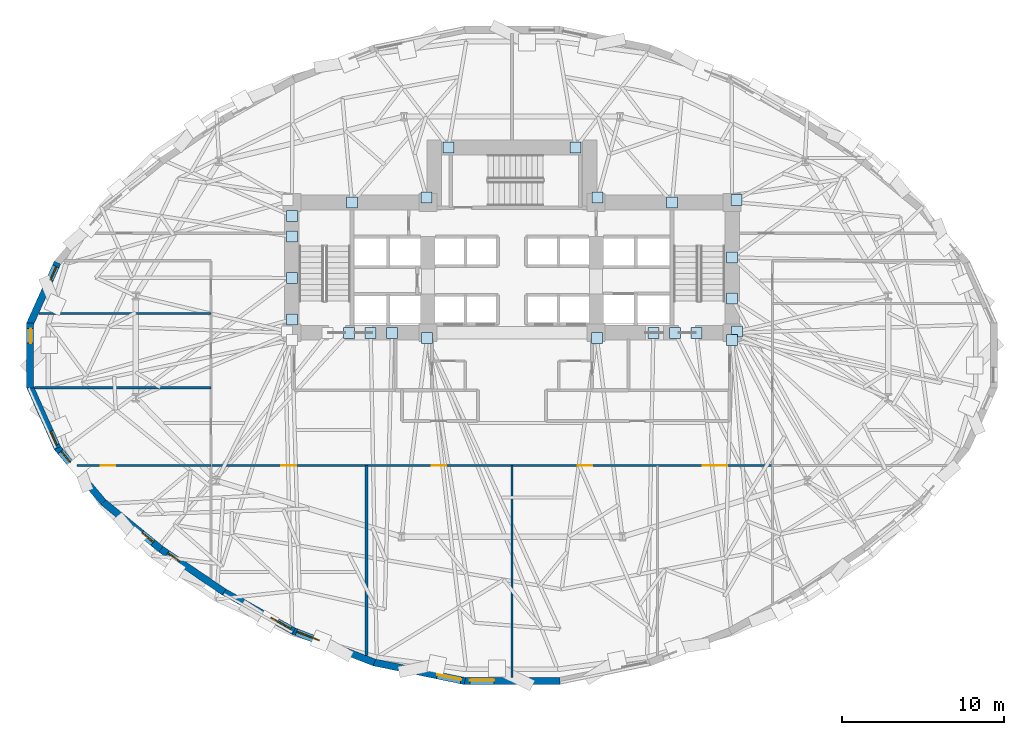
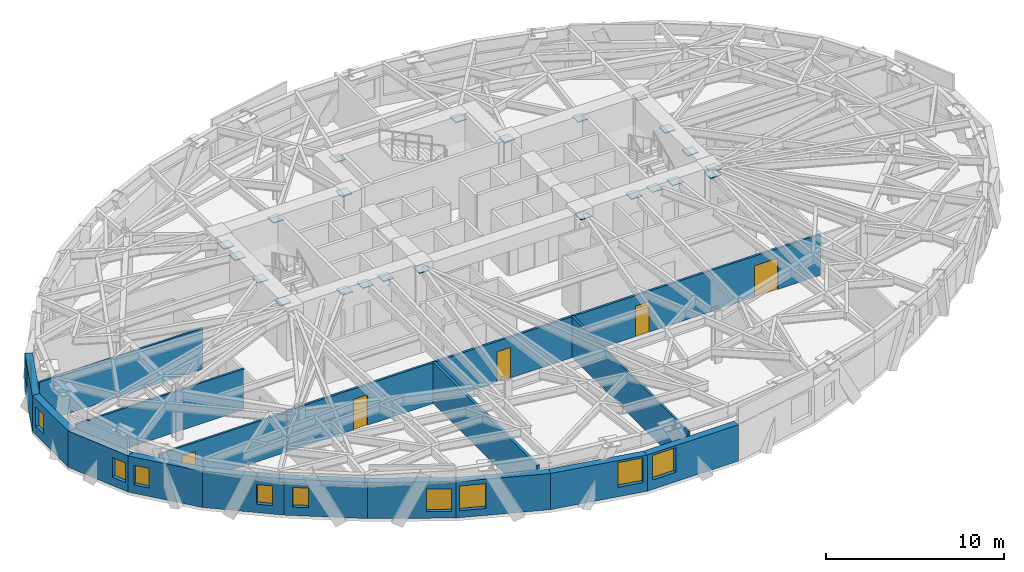
# One storey, part 6 of 14: 23 plates, 16 walls, 10 windows, 5 doors, 15 openings.
"""IFC4 building model written with IfcOpenShell, lengths in metres."""

from ifc_helpers import new_model, si_unit, direction, frame, frame_2d, origin, origin_2d, place, context, subcontext, project, spatial, rectangle, extrude, material, layer, layer_set, type_object, element, fill, save


model = new_model("IFC4")

# Units and contexts
model_context = context("Model", 3, precision=1e-05, world=origin(), true_north=direction((0.0, 1.0)))
body_context = subcontext(model_context, "Body", "Model", "MODEL_VIEW")
ifc_project = project(units=[si_unit("LENGTHUNIT", "METRE"), si_unit("AREAUNIT", "SQUARE_METRE"), si_unit("VOLUMEUNIT", "CUBIC_METRE"), si_unit("PLANEANGLEUNIT", "RADIAN"), si_unit("MASSUNIT", "GRAM", prefix="KILO")], contexts=[model_context])

# Site, building, storey
site_placement = place(None, origin())
site = spatial("IfcSite", under=ifc_project, at=site_placement, CompositionType="ELEMENT")
building_placement = place(site_placement, origin())
building = spatial("IfcBuilding", under=site, at=building_placement, Name="Keldmark Tower", CompositionType="ELEMENT")
storey_placement = place(building_placement, frame((0.0, 0.0, 73.800048828125)))
storey = spatial("IfcBuildingStorey", under=building, at=storey_placement, Name="L19", CompositionType="ELEMENT", Elevation=73.800048828125)

# Plates
ifc_material_1 = material(Name="Steel ASTM A572 Grade 50", Category="steel")
ifc_layer_1 = layer(ifc_material_1, 0.06005859375)
ifc_layer_set_1 = layer_set([ifc_layer_1], Name="Steel ASTM A572 Grade 50")
plate_type = type_object("IfcPlateType", Name="Belt Truss Kink Node Assembly KN01 60 mm", PredefinedType="USERDEFINED", material=ifc_layer_set_1)
for number, where, z_axis, x_axis, name in (
    (1, (13.91162109375, 1.473388671875, 3.05810546875), (0.0, 0.0, 1.0), (1.0, 0.0, 0.0), "L19 Core Wall Cast-In Embed Plate 491"),
    (2, (13.878173828125, 9.608154296875, 3.05810546875), (0.0, 0.0, 1.0), (1.0, 0.0, 0.0), "L19 Core Wall Cast-In Embed Plate 492"),
    (3, (5.28515625, 9.758544921875, 3.05810546875), (0.0, 0.0, 1.0), (1.0, 0.0, 0.0), "L19 Core Wall Cast-In Embed Plate 493"),
    (4, (-5.28515625, 9.758544921875, 3.05810546875), (0.0, 0.0, 1.0), (1.0, 0.0, 0.0), "L19 Core Wall Cast-In Embed Plate 494"),
    (5, (-5.24072265625, 1.08251953125, 3.05810546875), (0.0, 0.0, 1.0), (1.0, 0.0, 0.0), "L19 Core Wall Cast-In Embed Plate 497"),
    (6, (5.24072265625, 1.08251953125, 3.05810546875), (0.0, 0.0, 1.0), (1.0, 0.0, 0.0), "L19 Core Wall Cast-In Embed Plate 498"),
    (7, (9.892822265625, 9.449951171875, 3.06396484375), (0.0, 0.0, 1.0), (1.0, 0.0, 0.0), "L19 Core Wall Cast-In Embed Plate 499"),
    (8, (-9.892822265625, 9.449951171875, 3.06396484375), (0.0, 0.0, 1.0), (1.0, 0.0, 0.0), "L19 Core Wall Cast-In Embed Plate 500"),
    (9, (13.60009765625, 0.949951171875, 3.06396484375), (0.0, 0.0, 1.0), (1.0, 0.0, 0.0), "L19 Core Wall Cast-In Embed Plate 502"),
    (10, (-10.064208984375, 1.39990234375, 3.06396484375), (0.0, 0.0, 1.0), (1.0, 0.0, 0.0), "L19 Core Wall Cast-In Embed Plate 503"),
    (11, (13.60009765625, 6.064208984375, 3.06396484375), (0.0, 0.0, 1.0), (1.0, 0.0, 0.0), "L19 Core Wall Cast-In Embed Plate 504"),
    (12, (3.9375, 12.85009765625, 3.06396484375), (0.0, 0.0, 1.0), (1.0, 0.0, 0.0), "L19 Core Wall Cast-In Embed Plate 505"),
    (13, (-3.9375, 12.85009765625, 3.06396484375), (0.0, 0.0, 1.0), (1.0, 0.0, 0.0), "L19 Core Wall Cast-In Embed Plate 506"),
    (14, (-13.60009765625, 8.621337890625, 3.06396484375), (0.0, 0.0, 1.0), (1.0, 0.0, 0.0), "L19 Core Wall Cast-In Embed Plate 507"),
    (15, (-13.60009765625, 7.343017578125, 3.06396484375), (0.0, 0.0, 1.0), (1.0, 0.0, 0.0), "L19 Core Wall Cast-In Embed Plate 508"),
    (16, (-13.60009765625, 4.78564453125, 3.06396484375), (0.0, 0.0, 1.0), (1.0, 0.0, 0.0), "L19 Core Wall Cast-In Embed Plate 509"),
    (17, (-13.60009765625, 2.228515625, 3.06396484375), (0.0, 0.0, 1.0), (1.0, 0.0, 0.0), "L19 Core Wall Cast-In Embed Plate 510"),
    (18, (-7.406982421875, 1.39990234375, 3.06396484375), (0.0, 0.0, 1.0), (1.0, 0.0, 0.0), "L19 Core Wall Cast-In Embed Plate 512"),
    (19, (-8.735595703125, 1.39990234375, 3.06396484375), (0.0, 0.0, 1.0), (1.0, 0.0, 0.0), "L19 Core Wall Cast-In Embed Plate 513"),
    (20, (11.392822265625, 1.39990234375, 3.06396484375), (0.0, 0.0, 1.0), (1.0, 0.0, 0.0), "L19 Core Wall Cast-In Embed Plate 514"),
    (21, (10.064208984375, 1.39990234375, 3.06396484375), (0.0, 0.0, 1.0), (1.0, 0.0, 0.0), "L19 Core Wall Cast-In Embed Plate 515"),
    (22, (13.60009765625, 3.507080078125, 3.06396484375), (0.0, 0.0, 1.0), (1.0, 0.0, 0.0), "L19 Core Wall Cast-In Embed Plate 516"),
    (23, (8.735595703125, 1.39990234375, 3.06396484375), (0.0, 0.0, 1.0), (1.0, 0.0, 0.0), "L19 Core Wall Cast-In Embed Plate 517"),
):
    element("IfcPlate", number, at=place(storey_placement, frame(where, z_axis=z_axis, x_axis=x_axis)), inside=storey, type_object=plate_type, Name=name, ObjectType="CAP PLATE", PredefinedType="USERDEFINED", context=body_context, shape_type="SweptSolid", body=[
        extrude(rectangle(XDim=0.679931640625, YDim=0.679931640625, at=origin_2d()), origin(), (0.0, 0.0, 1.0), 0.054931640625),
    ])

# Wall, openings, doors
ifc_material_2 = material(Name="Acoustic Double-Layer Gypsum Corridor Partition", Category="gypsum")
ifc_layer_2 = layer(ifc_material_2, 0.139892578125)
ifc_layer_set_2 = layer_set([ifc_layer_2], Name="Acoustic Double-Layer Gypsum Corridor Partition")
wall_type_1 = type_object("IfcWallType", Name="Acoustic Corridor Partition 140 mm", PredefinedType="PARTITIONING", material=ifc_layer_set_2)
wall_1_placement = place(storey_placement, frame((-18.60009765625, -6.800048828125, 0.0), z_axis=(0.0, 0.0, 1.0), x_axis=(1.0, 0.0, 0.0)))
wall_1 = element("IfcWall", 24, at=wall_1_placement, inside=storey, type_object=wall_type_1, Name="L19 Acoustic Corridor Partition 140 mm COR-S", PredefinedType="PARTITIONING", context=body_context, shape_type="SweptSolid", body=[
    extrude(rectangle(XDim=34.7001953125, YDim=0.139892578125, at=frame_2d((17.35009765625, 0.0))), origin(), (0.0, 0.0, 1.0), 2.81298828125),
])
opening_1_placement = place(wall_1_placement, frame((4.35009765625, 0.0, 0.0)))
opening_1 = element("IfcOpeningElement", 25, at=opening_1_placement, cuts=wall_1, Name="Opening D-IN090", PredefinedType="OPENING", context=body_context, shape_type="SweptSolid", body=[
    extrude(rectangle(XDim=0.89990234375, YDim=2.10009765625, at=frame_2d((0.449951171875, 1.050048828125))), frame((0.0, 0.079833984375, 0.0), z_axis=(0.0, -1.0, 0.0), x_axis=(1.0, 0.0, 0.0)), (0.0, 0.0, 1.0), 0.159912109375),
])
opening_2_placement = place(wall_1_placement, frame((13.64990234375, 0.0, 0.0)))
opening_2 = element("IfcOpeningElement", 26, at=opening_2_placement, cuts=wall_1, Name="Opening D-IN090", PredefinedType="OPENING", context=body_context, shape_type="SweptSolid", body=[
    extrude(rectangle(XDim=0.89990234375, YDim=2.10009765625, at=frame_2d((0.449951171875, 1.050048828125))), frame((0.0, 0.079833984375, 0.0), z_axis=(0.0, -1.0, 0.0), x_axis=(1.0, 0.0, 0.0)), (0.0, 0.0, 1.0), 0.159912109375),
])
opening_3_placement = place(wall_1_placement, frame((22.64990234375, 0.0, 0.0)))
opening_3 = element("IfcOpeningElement", 27, at=opening_3_placement, cuts=wall_1, Name="Opening D-IN090", PredefinedType="OPENING", context=body_context, shape_type="SweptSolid", body=[
    extrude(rectangle(XDim=0.89990234375, YDim=2.10009765625, at=frame_2d((0.449951171875, 1.050048828125))), frame((0.0, 0.079833984375, 0.0), z_axis=(0.0, -1.0, 0.0), x_axis=(1.0, 0.0, 0.0)), (0.0, 0.0, 1.0), 0.159912109375),
])
opening_4_placement = place(wall_1_placement, frame((30.39990234375, 0.0, 0.0)))
opening_4 = element("IfcOpeningElement", 28, at=opening_4_placement, cuts=wall_1, Name="Opening D-CF150", PredefinedType="OPENING", context=body_context, shape_type="SweptSolid", body=[
    extrude(rectangle(XDim=1.5, YDim=2.14990234375, at=frame_2d((0.75, 1.074951171875))), frame((0.0, 0.079833984375, 0.0), z_axis=(0.0, -1.0, 0.0), x_axis=(1.0, 0.0, 0.0)), (0.0, 0.0, 1.0), 0.159912109375),
])
ifc_material_3 = material(Name="Acoustic Timber and Tempered Glass Double Door", Category="wood")
door_type_1 = type_object("IfcDoorType", Name="Conference Double Door 1500x2150", OperationType="DOUBLE_DOOR_SINGLE_SWING", PredefinedType="DOOR", material=ifc_material_3)
door_1_placement = place(opening_4_placement, origin())
door_1 = element("IfcDoor", 29, at=door_1_placement, inside=storey, type_object=door_type_1, Name="L19 Conference Double Door 1500x2150 D-SR-4-L19", OperationType="DOUBLE_DOOR_SINGLE_SWING", OverallHeight=2.14990234375, OverallWidth=1.5, PredefinedType="DOOR", context=body_context, shape_type="SweptSolid", body=[
    extrude(rectangle(XDim=1.5, YDim=2.14990234375, at=frame_2d((0.75, 1.074951171875))), frame((0.0, 0.02490234375, 0.0), z_axis=(0.0, -1.0, 0.0), x_axis=(1.0, 0.0, 0.0)), (0.0, 0.0, 1.0), 0.050048828125),
])
fill(opening_4, door_1)
ifc_material_4 = material(Name="Stained American White Oak Veneer", Category="wood")
door_type_2 = type_object("IfcDoorType", Name="Interior Door 900x2100", OperationType="NOTDEFINED", PredefinedType="DOOR", material=ifc_material_4)
door_2_placement = place(opening_1_placement, origin())
door_2 = element("IfcDoor", 30, at=door_2_placement, inside=storey, type_object=door_type_2, Name="L19 Interior Door 900x2100 D-SR-1-L19", OperationType="SINGLE_SWING_LEFT", OverallHeight=2.10009765625, OverallWidth=0.89990234375, PredefinedType="DOOR", context=body_context, shape_type="SweptSolid", body=[
    extrude(rectangle(XDim=0.89990234375, YDim=2.10009765625, at=frame_2d((0.449951171875, 1.050048828125))), frame((0.0, 0.02490234375, 0.0), z_axis=(0.0, -1.0, 0.0), x_axis=(1.0, 0.0, 0.0)), (0.0, 0.0, 1.0), 0.050048828125),
])
fill(opening_1, door_2)
door_3_placement = place(opening_2_placement, origin())
door_3 = element("IfcDoor", 31, at=door_3_placement, inside=storey, type_object=door_type_2, Name="L19 Interior Door 900x2100 D-SR-2-L19", OperationType="SINGLE_SWING_RIGHT", OverallHeight=2.10009765625, OverallWidth=0.89990234375, PredefinedType="DOOR", context=body_context, shape_type="SweptSolid", body=[
    extrude(rectangle(XDim=0.89990234375, YDim=2.10009765625, at=frame_2d((0.449951171875, 1.050048828125))), frame((0.0, 0.02490234375, 0.0), z_axis=(0.0, -1.0, 0.0), x_axis=(1.0, 0.0, 0.0)), (0.0, 0.0, 1.0), 0.050048828125),
])
fill(opening_2, door_3)
door_4_placement = place(opening_3_placement, origin())
door_4 = element("IfcDoor", 32, at=door_4_placement, inside=storey, type_object=door_type_2, Name="L19 Interior Door 900x2100 D-SR-3-L19", OperationType="SINGLE_SWING_LEFT", OverallHeight=2.10009765625, OverallWidth=0.89990234375, PredefinedType="DOOR", context=body_context, shape_type="SweptSolid", body=[
    extrude(rectangle(XDim=0.89990234375, YDim=2.10009765625, at=frame_2d((0.449951171875, 1.050048828125))), frame((0.0, 0.02490234375, 0.0), z_axis=(0.0, -1.0, 0.0), x_axis=(1.0, 0.0, 0.0)), (0.0, 0.0, 1.0), 0.050048828125),
])
fill(opening_3, door_4)

# Walls
ifc_material_5 = material(Name="STC-58 Insulated Tenant Demising Gypsum Partition", Category="gypsum")
ifc_layer_3 = layer(ifc_material_5, 0.175048828125)
ifc_layer_set_3 = layer_set([ifc_layer_3], Name="STC-58 Insulated Tenant Demising Gypsum Partition")
wall_type_2 = type_object("IfcWallType", Name="Demising Suite Partition 175 mm", PredefinedType="PARTITIONING", material=ifc_layer_set_3)
wall_2_placement = place(storey_placement, frame((-9.0, -18.544921875, 0.0), z_axis=(0.0, 0.0, 1.0), x_axis=(0.0, 1.0, 0.0)))
element("IfcWall", 33, at=wall_2_placement, inside=storey, type_object=wall_type_2, Name="L19 Demising Suite Partition 175 mm S-DIV-1", PredefinedType="PARTITIONING", context=body_context, shape_type="SweptSolid", body=[
    extrude(rectangle(XDim=11.744873046875, YDim=0.175048828125, at=frame_2d((5.87255859375, 0.0))), origin(), (0.0, 0.0, 1.0), 2.81298828125),
])
ifc_material_6 = material(Name="Acoustic Gypsum Board Interior Partition", Category="gypsum")
ifc_layer_4 = layer(ifc_material_6, 0.1298828125)
ifc_layer_set_4 = layer_set([ifc_layer_4], Name="Acoustic Gypsum Board Interior Partition")
wall_type_3 = type_object("IfcWallType", Name="Interior Partition 130 mm", PredefinedType="PARTITIONING", material=ifc_layer_set_4)
wall_3_placement = place(storey_placement, frame((0.0, -19.897216796875, 0.0), z_axis=(0.0, 0.0, 1.0), x_axis=(0.0, 1.0, 0.0)))
element("IfcWall", 34, at=wall_3_placement, inside=storey, type_object=wall_type_3, Name="L19 Interior Partition 130 mm S-DIV-2", PredefinedType="PARTITIONING", context=body_context, shape_type="SweptSolid", body=[
    extrude(rectangle(XDim=13.09716796875, YDim=0.1298828125, at=frame_2d((6.548583984375, 0.0))), origin(), (0.0, 0.0, 1.0), 2.81298828125),
])

# Wall, opening, door
wall_4_placement = place(storey_placement, frame((-26.881591796875, -6.800048828125, 0.0), z_axis=(0.0, 0.0, 1.0), x_axis=(1.0, 0.0, 0.0)))
wall_4 = element("IfcWall", 35, at=wall_4_placement, inside=storey, type_object=wall_type_3, Name="L19 Interior Partition 130 mm W-CAP-S", PredefinedType="PARTITIONING", context=body_context, shape_type="SweptSolid", body=[
    extrude(rectangle(XDim=8.281494140625, YDim=0.1298828125, at=frame_2d((4.140625, 0.0))), origin(), (0.0, 0.0, 1.0), 2.739013671875),
])
opening_5_placement = place(wall_4_placement, frame((1.469970703125, 0.0, 0.0)))
opening_5 = element("IfcOpeningElement", 36, at=opening_5_placement, cuts=wall_4, Name="Opening D-IN090", PredefinedType="OPENING", context=body_context, shape_type="SweptSolid", body=[
    extrude(rectangle(XDim=0.89990234375, YDim=2.10009765625, at=frame_2d((0.449951171875, 1.050048828125))), frame((0.0, 0.074951171875, 0.0), z_axis=(0.0, -1.0, 0.0), x_axis=(1.0, 0.0, 0.0)), (0.0, 0.0, 1.0), 0.14990234375),
])
door_5_placement = place(opening_5_placement, origin())
door_5 = element("IfcDoor", 37, at=door_5_placement, inside=storey, type_object=door_type_2, Name="L19 Interior Door 900x2100 D-WRSW-L19", OperationType="SINGLE_SWING_LEFT", OverallHeight=2.10009765625, OverallWidth=0.89990234375, PredefinedType="DOOR", context=body_context, shape_type="SweptSolid", body=[
    extrude(rectangle(XDim=0.89990234375, YDim=2.10009765625, at=frame_2d((0.449951171875, 1.050048828125))), frame((0.0, 0.02490234375, 0.0), z_axis=(0.0, -1.0, 0.0), x_axis=(1.0, 0.0, 0.0)), (0.0, 0.0, 1.0), 0.050048828125),
])
fill(opening_5, door_5)

# Walls
wall_5_placement = place(storey_placement, frame((-29.514892578125, -2.0, 0.0), z_axis=(0.0, 0.0, 1.0), x_axis=(1.0, 0.0, 0.0)))
element("IfcWall", 38, at=wall_5_placement, inside=storey, type_object=wall_type_3, Name="L19 Interior Partition 130 mm W-DIV-1", PredefinedType="PARTITIONING", context=body_context, shape_type="SweptSolid", body=[
    extrude(rectangle(XDim=10.914794921875, YDim=0.1298828125, at=frame_2d((5.45751953125, 0.0))), origin(), (0.0, 0.0, 1.0), 2.801025390625),
])
wall_6_placement = place(storey_placement, frame((-29.24658203125, 2.60009765625, 0.0), z_axis=(0.0, 0.0, 1.0), x_axis=(1.0, 0.0, 0.0)))
element("IfcWall", 39, at=wall_6_placement, inside=storey, type_object=wall_type_3, Name="L19 Interior Partition 130 mm W-DIV-2", PredefinedType="PARTITIONING", context=body_context, shape_type="SweptSolid", body=[
    extrude(rectangle(XDim=10.646484375, YDim=0.1298828125, at=frame_2d((5.3232421875, 0.0))), origin(), (0.0, 0.0, 1.0), 2.801025390625),
])

# Wall, opening, window
ifc_material_7 = material(Name="Ironspot Manganese Brick and Kasota Buff Limestone Spandrel Assembly", Category="masonry")
ifc_layer_5 = layer(ifc_material_7, 0.43994140625)
ifc_layer_set_5 = layer_set([ifc_layer_5], Name="Ironspot Manganese Brick and Kasota Buff Limestone Spandrel Assembly")
wall_type_4 = type_object("IfcWallType", Name="Tower Brick Pier and Spandrel Wall 440 mm", PredefinedType="STANDARD", material=ifc_layer_set_5)
wall_7_placement = place(storey_placement, frame((-29.80322265625, 1.9140625, 0.0), z_axis=(0.0, 0.0, 1.0), x_axis=(0.408380143708, 0.912811951184, 0.0)))
wall_7 = element("IfcWall", 40, at=wall_7_placement, inside=storey, type_object=wall_type_4, Name="L19 Exterior Brick and Spandrel Wall 15", PredefinedType="STANDARD", context=body_context, shape_type="SweptSolid", body=[
    extrude(rectangle(XDim=4.18115234375, YDim=0.43994140625, at=frame_2d((2.090576171875, 0.0))), origin(), (0.0, 0.0, 1.0), 2.492919921875),
])
opening_6_placement = place(wall_7_placement, frame((3.031494140625, 0.0, 0.919921875)))
opening_6 = element("IfcOpeningElement", 41, at=opening_6_placement, cuts=wall_7, Name="Opening W-09", PredefinedType="OPENING", context=body_context, shape_type="SweptSolid", body=[
    extrude(rectangle(XDim=0.89990234375, YDim=1.35009765625, at=frame_2d((0.449951171875, 0.675048828125))), frame((0.0, 0.22998046875, 0.0), z_axis=(0.0, -1.0, 0.0), x_axis=(1.0, 0.0, 0.0)), (0.0, 0.0, 1.0), 0.4599609375),
])
ifc_material_8 = material(Name="Thermally Broken Anodized Aluminum and Triple Low-E Argon Glazing", Category="aluminium")
window_type_1 = type_object("IfcWindowType", Name="Corner Pier Deep-Set Window 900x1350", PartitioningType="SINGLE_PANEL", PredefinedType="WINDOW", material=ifc_material_8)
window_1_placement = place(opening_6_placement, origin())
window_1 = element("IfcWindow", 42, at=window_1_placement, inside=storey, type_object=window_type_1, Name="L19 Deep-Set Window 15", OverallHeight=1.35009765625, OverallWidth=0.89990234375, PartitioningType="SINGLE_PANEL", PredefinedType="WINDOW", context=body_context, shape_type="SweptSolid", body=[
    extrude(rectangle(XDim=0.89990234375, YDim=1.35009765625, at=frame_2d((0.449951171875, 0.675048828125))), frame((0.0, -0.010009765625, 0.0), z_axis=(0.0, -1.0, 0.0), x_axis=(1.0, 0.0, 0.0)), (0.0, 0.0, 1.0), 0.06005859375),
])
fill(opening_6, window_1)

wall_8_placement = place(storey_placement, frame((-29.7841796875, -2.00390625, 0.0), z_axis=(0.0, 0.0, 1.0), x_axis=(0.0, 1.0, 0.0)))
wall_8 = element("IfcWall", 43, at=wall_8_placement, inside=storey, type_object=wall_type_4, Name="L19 Exterior Brick and Spandrel Wall 16", PredefinedType="STANDARD", context=body_context, shape_type="SweptSolid", body=[
    extrude(rectangle(XDim=4.0078125, YDim=0.43994140625, at=frame_2d((2.00390625, 0.0))), origin(), (0.0, 0.0, 1.0), 2.492919921875),
])
opening_7_placement = place(wall_8_placement, frame((2.760009765625, 0.0, 0.580078125)))
opening_7 = element("IfcOpeningElement", 44, at=opening_7_placement, cuts=wall_8, Name="Opening W-09", PredefinedType="OPENING", context=body_context, shape_type="SweptSolid", body=[
    extrude(rectangle(XDim=0.89990234375, YDim=1.35009765625, at=frame_2d((0.449951171875, 0.675048828125))), frame((0.0, 0.22998046875, 0.0), z_axis=(0.0, -1.0, 0.0), x_axis=(1.0, 0.0, 0.0)), (0.0, 0.0, 1.0), 0.4599609375),
])
window_2_placement = place(opening_7_placement, origin())
window_2 = element("IfcWindow", 45, at=window_2_placement, inside=storey, type_object=window_type_1, Name="L19 Deep-Set Window 16", OverallHeight=1.35009765625, OverallWidth=0.89990234375, PartitioningType="SINGLE_PANEL", PredefinedType="WINDOW", context=body_context, shape_type="SweptSolid", body=[
    extrude(rectangle(XDim=0.89990234375, YDim=1.35009765625, at=frame_2d((0.449951171875, 0.675048828125))), frame((0.0, -0.010009765625, 0.0), z_axis=(0.0, -1.0, 0.0), x_axis=(1.0, 0.0, 0.0)), (0.0, 0.0, 1.0), 0.06005859375),
])
fill(opening_7, window_2)

wall_9_placement = place(storey_placement, frame((-28.095703125, -5.730712890625, 0.0), z_axis=(0.0, 0.0, 1.0), x_axis=(-0.408380143708, 0.912811951184, 0.0)))
wall_9 = element("IfcWall", 46, at=wall_9_placement, inside=storey, type_object=wall_type_4, Name="L19 Exterior Brick and Spandrel Wall 17", PredefinedType="STANDARD", context=body_context, shape_type="SweptSolid", body=[
    extrude(rectangle(XDim=4.18115234375, YDim=0.43994140625, at=frame_2d((2.090576171875, 0.0))), origin(), (0.0, 0.0, 1.0), 2.492919921875),
])
opening_8_placement = place(wall_9_placement, frame((0.199951171875, 0.0, 0.580078125)))
opening_8 = element("IfcOpeningElement", 47, at=opening_8_placement, cuts=wall_9, Name="Opening W-09", PredefinedType="OPENING", context=body_context, shape_type="SweptSolid", body=[
    extrude(rectangle(XDim=0.89990234375, YDim=1.35009765625, at=frame_2d((0.449951171875, 0.675048828125))), frame((0.0, 0.22998046875, 0.0), z_axis=(0.0, -1.0, 0.0), x_axis=(1.0, 0.0, 0.0)), (0.0, 0.0, 1.0), 0.4599609375),
])
window_3_placement = place(opening_8_placement, origin())
window_3 = element("IfcWindow", 48, at=window_3_placement, inside=storey, type_object=window_type_1, Name="L19 Deep-Set Window 17", OverallHeight=1.35009765625, OverallWidth=0.89990234375, PartitioningType="SINGLE_PANEL", PredefinedType="WINDOW", context=body_context, shape_type="SweptSolid", body=[
    extrude(rectangle(XDim=0.89990234375, YDim=1.35009765625, at=frame_2d((0.449951171875, 0.675048828125))), frame((0.0, -0.010009765625, 0.0), z_axis=(0.0, -1.0, 0.0), x_axis=(1.0, 0.0, 0.0)), (0.0, 0.0, 1.0), 0.06005859375),
])
fill(opening_8, window_3)

wall_10_placement = place(storey_placement, frame((-25.2578125, -9.073486328125, 0.0), z_axis=(0.0, 0.0, 1.0), x_axis=(-0.645698517297, 0.763592446767, 0.0)))
wall_10 = element("IfcWall", 49, at=wall_10_placement, inside=storey, type_object=wall_type_4, Name="L19 Exterior Brick and Spandrel Wall 18", PredefinedType="STANDARD", context=body_context, shape_type="SweptSolid", body=[
    extrude(rectangle(XDim=4.446044921875, YDim=0.43994140625, at=frame_2d((2.22314453125, 0.0))), origin(), (0.0, 0.0, 1.0), 2.489013671875),
])
opening_9_placement = place(wall_10_placement, frame((3.1962890625, 0.0, 0.580078125)))
opening_9 = element("IfcOpeningElement", 50, at=opening_9_placement, cuts=wall_10, Name="Opening W-09", PredefinedType="OPENING", context=body_context, shape_type="SweptSolid", body=[
    extrude(rectangle(XDim=0.89990234375, YDim=1.35009765625, at=frame_2d((0.449951171875, 0.675048828125))), frame((0.0, 0.22998046875, 0.0), z_axis=(0.0, -1.0, 0.0), x_axis=(1.0, 0.0, 0.0)), (0.0, 0.0, 1.0), 0.4599609375),
])
window_4_placement = place(opening_9_placement, origin())
window_4 = element("IfcWindow", 51, at=window_4_placement, inside=storey, type_object=window_type_1, Name="L19 Deep-Set Window 18", OverallHeight=1.35009765625, OverallWidth=0.89990234375, PartitioningType="SINGLE_PANEL", PredefinedType="WINDOW", context=body_context, shape_type="SweptSolid", body=[
    extrude(rectangle(XDim=0.89990234375, YDim=1.35009765625, at=frame_2d((0.449951171875, 0.675048828125))), frame((0.0, -0.010009765625, 0.0), z_axis=(0.0, -1.0, 0.0), x_axis=(1.0, 0.0, 0.0)), (0.0, 0.0, 1.0), 0.06005859375),
])
fill(opening_9, window_4)

wall_11_placement = place(storey_placement, frame((-21.69873046875, -11.982421875, 0.0), z_axis=(0.0, 0.0, 1.0), x_axis=(-0.7737766342, 0.63345853879, 0.0)))
wall_11 = element("IfcWall", 52, at=wall_11_placement, inside=storey, type_object=wall_type_4, Name="L19 Exterior Brick and Spandrel Wall 19", PredefinedType="STANDARD", context=body_context, shape_type="SweptSolid", body=[
    extrude(rectangle(XDim=4.636962890625, YDim=0.43994140625, at=frame_2d((2.318359375, 0.0))), origin(), (0.0, 0.0, 1.0), 2.489013671875),
])
opening_10_placement = place(wall_11_placement, frame((0.648193359375, 0.0, 0.580078125)))
opening_10 = element("IfcOpeningElement", 53, at=opening_10_placement, cuts=wall_11, Name="Opening W-09", PredefinedType="OPENING", context=body_context, shape_type="SweptSolid", body=[
    extrude(rectangle(XDim=0.89990234375, YDim=1.35009765625, at=frame_2d((0.449951171875, 0.675048828125))), frame((0.0, 0.22998046875, 0.0), z_axis=(0.0, -1.0, 0.0), x_axis=(1.0, 0.0, 0.0)), (0.0, 0.0, 1.0), 0.4599609375),
])
window_5_placement = place(opening_10_placement, origin())
window_5 = element("IfcWindow", 54, at=window_5_placement, inside=storey, type_object=window_type_1, Name="L19 Deep-Set Window 19", OverallHeight=1.35009765625, OverallWidth=0.89990234375, PartitioningType="SINGLE_PANEL", PredefinedType="WINDOW", context=body_context, shape_type="SweptSolid", body=[
    extrude(rectangle(XDim=0.89990234375, YDim=1.35009765625, at=frame_2d((0.449951171875, 0.675048828125))), frame((0.0, -0.010009765625, 0.0), z_axis=(0.0, -1.0, 0.0), x_axis=(1.0, 0.0, 0.0)), (0.0, 0.0, 1.0), 0.06005859375),
])
fill(opening_10, window_5)

wall_12_placement = place(storey_placement, frame((-17.798583984375, -14.6259765625, 0.0), z_axis=(0.0, 0.0, 1.0), x_axis=(-0.827650405372, 0.561243981249, 0.0)))
wall_12 = element("IfcWall", 55, at=wall_12_placement, inside=storey, type_object=wall_type_4, Name="L19 Exterior Brick and Spandrel Wall 20", PredefinedType="STANDARD", context=body_context, shape_type="SweptSolid", body=[
    extrude(rectangle(XDim=4.7314453125, YDim=0.43994140625, at=frame_2d((2.36572265625, 0.0))), origin(), (0.0, 0.0, 1.0), 2.492919921875),
])
opening_11_placement = place(wall_12_placement, frame((3.3330078125, 0.0, 0.580078125)))
opening_11 = element("IfcOpeningElement", 56, at=opening_11_placement, cuts=wall_12, Name="Opening W-09", PredefinedType="OPENING", context=body_context, shape_type="SweptSolid", body=[
    extrude(rectangle(XDim=0.89990234375, YDim=1.35009765625, at=frame_2d((0.449951171875, 0.675048828125))), frame((0.0, 0.22998046875, 0.0), z_axis=(0.0, -1.0, 0.0), x_axis=(1.0, 0.0, 0.0)), (0.0, 0.0, 1.0), 0.4599609375),
])
window_6_placement = place(opening_11_placement, origin())
window_6 = element("IfcWindow", 57, at=window_6_placement, inside=storey, type_object=window_type_1, Name="L19 Deep-Set Window 20", OverallHeight=1.35009765625, OverallWidth=0.89990234375, PartitioningType="SINGLE_PANEL", PredefinedType="WINDOW", context=body_context, shape_type="SweptSolid", body=[
    extrude(rectangle(XDim=0.89990234375, YDim=1.35009765625, at=frame_2d((0.449951171875, 0.675048828125))), frame((0.0, -0.010009765625, 0.0), z_axis=(0.0, -1.0, 0.0), x_axis=(1.0, 0.0, 0.0)), (0.0, 0.0, 1.0), 0.06005859375),
])
fill(opening_11, window_6)

wall_13_placement = place(storey_placement, frame((-13.482666015625, -17.049072265625, 0.0), z_axis=(0.0, 0.0, 1.0), x_axis=(-0.871887714573, 0.489705843519, 0.0)))
wall_13 = element("IfcWall", 58, at=wall_13_placement, inside=storey, type_object=wall_type_4, Name="L19 Exterior Brick and Spandrel Wall 21", PredefinedType="STANDARD", context=body_context, shape_type="SweptSolid", body=[
    extrude(rectangle(XDim=4.968017578125, YDim=0.43994140625, at=frame_2d((2.48388671875, 0.0))), origin(), (0.0, 0.0, 1.0), 2.489013671875),
])
opening_12_placement = place(wall_13_placement, frame((0.24951171875, 0.0, 0.449951171875)))
opening_12 = element("IfcOpeningElement", 59, at=opening_12_placement, cuts=wall_13, Name="Opening W-08", PredefinedType="OPENING", context=body_context, shape_type="SweptSolid", body=[
    extrude(rectangle(XDim=1.39990234375, YDim=1.550048828125, at=frame_2d((0.699951171875, 0.77490234375))), frame((0.0, 0.22998046875, 0.0), z_axis=(0.0, -1.0, 0.0), x_axis=(1.0, 0.0, 0.0)), (0.0, 0.0, 1.0), 0.4599609375),
])
ifc_material_9 = material(Name="Thermally Broken Anodized Aluminum and Triple Low-E Argon Glazing", Category="aluminium")
window_type_2 = type_object("IfcWindowType", Name="Residential Corner Punched Window 1400x1550", PartitioningType="SINGLE_PANEL", PredefinedType="WINDOW", material=ifc_material_9)
window_7_placement = place(opening_12_placement, origin())
window_7 = element("IfcWindow", 60, at=window_7_placement, inside=storey, type_object=window_type_2, Name="L19 Deep-Set Window 21", OverallHeight=1.550048828125, OverallWidth=1.39990234375, PartitioningType="SINGLE_PANEL", PredefinedType="WINDOW", context=body_context, shape_type="SweptSolid", body=[
    extrude(rectangle(XDim=1.39990234375, YDim=1.550048828125, at=frame_2d((0.699951171875, 0.77490234375))), frame((0.0, -0.010009765625, 0.0), z_axis=(0.0, -1.0, 0.0), x_axis=(1.0, 0.0, 0.0)), (0.0, 0.0, 1.0), 0.06005859375),
])
fill(opening_12, window_7)

wall_14_placement = place(storey_placement, frame((-8.50390625, -18.982421875, 0.0), z_axis=(0.0, 0.0, 1.0), x_axis=(-0.932040489001, 0.362354145641, 0.0)))
wall_14 = element("IfcWall", 61, at=wall_14_placement, inside=storey, type_object=wall_type_4, Name="L19 Exterior Brick and Spandrel Wall 22", PredefinedType="STANDARD", context=body_context, shape_type="SweptSolid", body=[
    extrude(rectangle(XDim=5.371826171875, YDim=0.43994140625, at=frame_2d((2.68603515625, 0.0))), origin(), (0.0, 0.0, 1.0), 2.489013671875),
])
opening_13_placement = place(wall_14_placement, frame((3.671875, 0.0, 0.47998046875)))
opening_13 = element("IfcOpeningElement", 62, at=opening_13_placement, cuts=wall_14, Name="Opening W-03", PredefinedType="OPENING", context=body_context, shape_type="SweptSolid", body=[
    extrude(rectangle(XDim=1.5, YDim=1.699951171875, at=frame_2d((0.75, 0.85009765625))), frame((0.0, 0.22998046875, 0.0), z_axis=(0.0, -1.0, 0.0), x_axis=(1.0, 0.0, 0.0)), (0.0, 0.0, 1.0), 0.4599609375),
])
ifc_material_10 = material(Name="Thermally Broken Anodized Aluminum and Triple Low-E Argon Glazing", Category="aluminium")
window_type_3 = type_object("IfcWindowType", Name="Office Corner Deep-Set Window 1500x1700", PartitioningType="DOUBLE_PANEL_VERTICAL", PredefinedType="WINDOW", material=ifc_material_10)
window_8_placement = place(opening_13_placement, origin())
window_8 = element("IfcWindow", 63, at=window_8_placement, inside=storey, type_object=window_type_3, Name="L19 Deep-Set Window 22", OverallHeight=1.699951171875, OverallWidth=1.5, PartitioningType="SINGLE_PANEL", PredefinedType="WINDOW", context=body_context, shape_type="SweptSolid", body=[
    extrude(rectangle(XDim=1.5, YDim=1.699951171875, at=frame_2d((0.75, 0.85009765625))), frame((0.0, -0.010009765625, 0.0), z_axis=(0.0, -1.0, 0.0), x_axis=(1.0, 0.0, 0.0)), (0.0, 0.0, 1.0), 0.06005859375),
])
fill(opening_13, window_8)

wall_15_placement = place(storey_placement, frame((-2.910888671875, -20.1298828125, 0.0), z_axis=(0.0, 0.0, 1.0), x_axis=(-0.979485663347, 0.201513858821, 0.0)))
wall_15 = element("IfcWall", 64, at=wall_15_placement, inside=storey, type_object=wall_type_4, Name="L19 Exterior Brick and Spandrel Wall 23", PredefinedType="STANDARD", context=body_context, shape_type="SweptSolid", body=[
    extrude(rectangle(XDim=5.746337890625, YDim=0.43994140625, at=frame_2d((2.873046875, 0.0))), origin(), (0.0, 0.0, 1.0), 2.489013671875),
])
opening_14_placement = place(wall_15_placement, frame((0.25, 0.0, 0.64990234375)))
opening_14 = element("IfcOpeningElement", 65, at=opening_14_placement, cuts=wall_15, Name="Opening W-03", PredefinedType="OPENING", context=body_context, shape_type="SweptSolid", body=[
    extrude(rectangle(XDim=1.5, YDim=1.699951171875, at=frame_2d((0.75, 0.85009765625))), frame((0.0, 0.22998046875, 0.0), z_axis=(0.0, -1.0, 0.0), x_axis=(1.0, 0.0, 0.0)), (0.0, 0.0, 1.0), 0.4599609375),
])
window_9_placement = place(opening_14_placement, origin())
window_9 = element("IfcWindow", 66, at=window_9_placement, inside=storey, type_object=window_type_3, Name="L19 Deep-Set Window 23", OverallHeight=1.699951171875, OverallWidth=1.5, PartitioningType="SINGLE_PANEL", PredefinedType="WINDOW", context=body_context, shape_type="SweptSolid", body=[
    extrude(rectangle(XDim=1.5, YDim=1.699951171875, at=frame_2d((0.75, 0.85009765625))), frame((0.0, -0.010009765625, 0.0), z_axis=(0.0, -1.0, 0.0), x_axis=(1.0, 0.0, 0.0)), (0.0, 0.0, 1.0), 0.06005859375),
])
fill(opening_14, window_9)

wall_16_placement = place(storey_placement, frame((2.955078125, -20.125244140625, 0.0), z_axis=(0.0, 0.0, 1.0), x_axis=(-1.0, 0.0, 0.0)))
wall_16 = element("IfcWall", 67, at=wall_16_placement, inside=storey, type_object=wall_type_4, Name="L19 Exterior Brick and Spandrel Wall 24", PredefinedType="STANDARD", context=body_context, shape_type="SweptSolid", body=[
    extrude(rectangle(XDim=5.91015625, YDim=0.43994140625, at=frame_2d((2.955078125, 0.0))), origin(), (0.0, 0.0, 1.0), 2.492919921875),
])
opening_15_placement = place(wall_16_placement, frame((4.06201171875, 0.0, 0.64990234375)))
opening_15 = element("IfcOpeningElement", 68, at=opening_15_placement, cuts=wall_16, Name="Opening W-03", PredefinedType="OPENING", context=body_context, shape_type="SweptSolid", body=[
    extrude(rectangle(XDim=1.5, YDim=1.699951171875, at=frame_2d((0.75, 0.85009765625))), frame((0.0, 0.22998046875, 0.0), z_axis=(0.0, -1.0, 0.0), x_axis=(1.0, 0.0, 0.0)), (0.0, 0.0, 1.0), 0.4599609375),
])
window_10_placement = place(opening_15_placement, origin())
window_10 = element("IfcWindow", 69, at=window_10_placement, inside=storey, type_object=window_type_3, Name="L19 Deep-Set Window 24", OverallHeight=1.699951171875, OverallWidth=1.5, PartitioningType="SINGLE_PANEL", PredefinedType="WINDOW", context=body_context, shape_type="SweptSolid", body=[
    extrude(rectangle(XDim=1.5, YDim=1.699951171875, at=frame_2d((0.75, 0.85009765625))), frame((0.0, -0.010009765625, 0.0), z_axis=(0.0, -1.0, 0.0), x_axis=(1.0, 0.0, 0.0)), (0.0, 0.0, 1.0), 0.06005859375),
])
fill(opening_15, window_10)

save(model, "model.ifc")
